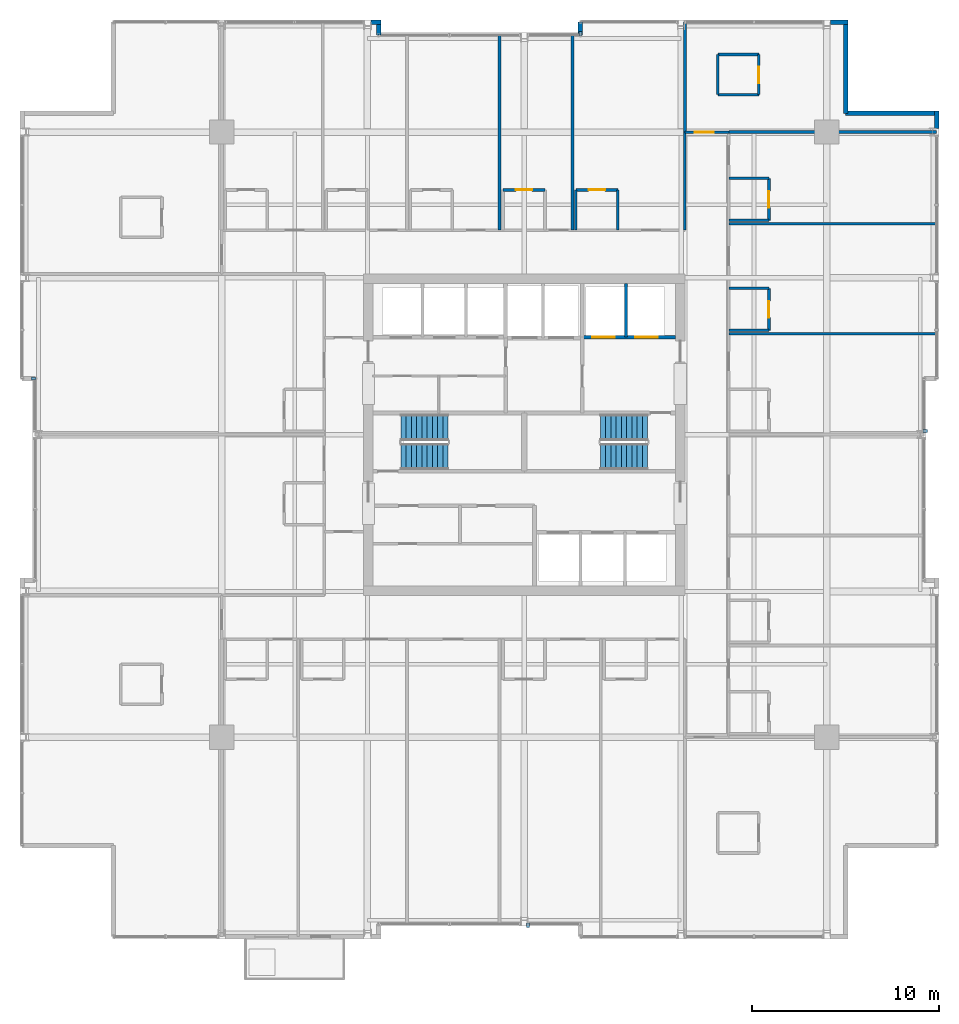
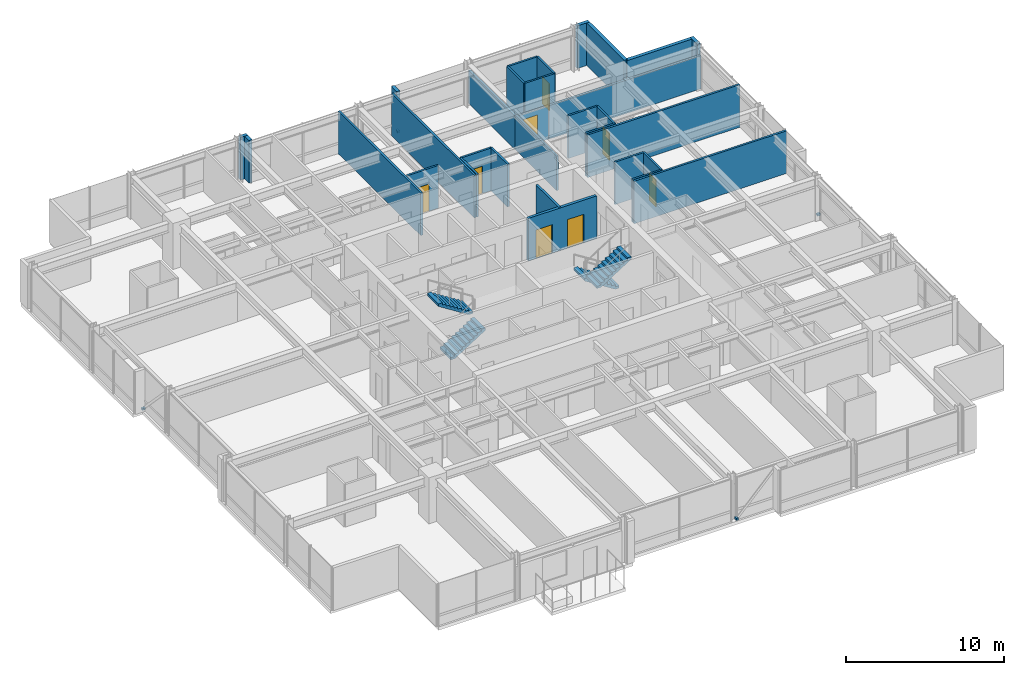
# One storey, part 30 of 33: 31 walls, 8 doors, 4 discrete accessories, 4 stair flights, 8 openings, 2 elements without a shape of their own.
"""IFC4 building model written with IfcOpenShell, lengths in metres."""

from ifc_helpers import new_model, si_unit, direction, frame, frame_2d, origin, origin_2d, place, context, subcontext, project, spatial, polyline, rectangle, outline, extrude, material, layer, layer_set, type_object, element, fill, aggregate, save


model = new_model("IFC4")

# Units and contexts
model_context = context("Model", 3, precision=1e-05, world=origin(), true_north=direction((0.0, 1.0)))
body_context = subcontext(model_context, "Body", "Model", "MODEL_VIEW")
ifc_project = project(units=[si_unit("LENGTHUNIT", "METRE"), si_unit("AREAUNIT", "SQUARE_METRE"), si_unit("VOLUMEUNIT", "CUBIC_METRE"), si_unit("PLANEANGLEUNIT", "RADIAN"), si_unit("MASSUNIT", "GRAM", prefix="KILO")], contexts=[model_context])

# Site, building, storey
site_placement = place(None, origin())
site = spatial("IfcSite", under=ifc_project, at=site_placement, CompositionType="ELEMENT")
building_placement = place(site_placement, origin())
building = spatial("IfcBuilding", under=site, at=building_placement, Name="Drelvath Grand Hotel", CompositionType="ELEMENT")
storey_placement = place(building_placement, frame((0.0, 0.0, 153.949951171875)))
storey = spatial("IfcBuildingStorey", under=building, at=storey_placement, Name="L39", CompositionType="ELEMENT", Elevation=153.949951171875)

# Wall, openings, doors
ifc_material_1 = material(Name="Concrete C40/50", Category="concrete")
ifc_layer_1 = layer(ifc_material_1, 0.199951171875)
ifc_layer_set_1 = layer_set([ifc_layer_1], Name="Concrete C40/50")
wall_type_1 = type_object("IfcWallType", Name="Core Hoistway Fire Wall 200", PredefinedType="SOLIDWALL", material=ifc_layer_set_1)
wall_1_placement = place(storey_placement, frame((3.10009765625, 32.219970703125, 0.0), z_axis=(0.0, 0.0, 1.0), x_axis=(1.0, 0.0, 0.0)))
wall_1 = element("IfcWall", 1, at=wall_1_placement, inside=storey, type_object=wall_type_1, Name="L39 FSAE Hoistway Front Wall", PredefinedType="SOLIDWALL", context=body_context, shape_type="SweptSolid", body=[
    extrude(rectangle(XDim=5.0, YDim=0.199951171875, at=frame_2d((2.5, 0.0))), origin(), (0.0, 0.0, 1.0), 3.2900390625),
])
opening_1_placement = place(wall_1_placement, frame((0.550048828125, 0.0, 0.0)))
opening_1 = element("IfcOpeningElement", 2, at=opening_1_placement, cuts=wall_1, Name="Opening LD-FSAE-1", PredefinedType="OPENING", context=body_context, shape_type="SweptSolid", body=[
    extrude(rectangle(XDim=1.199951171875, YDim=2.199951171875, at=frame_2d((0.60009765625, 1.10009765625))), frame((0.0, 0.10986328125, 0.0), z_axis=(0.0, -1.0, 0.0), x_axis=(1.0, 0.0, 0.0)), (0.0, 0.0, 1.0), 0.219970703125),
])
opening_2_placement = place(wall_1_placement, frame((2.85009765625, 0.0, 0.0)))
opening_2 = element("IfcOpeningElement", 3, at=opening_2_placement, cuts=wall_1, Name="Opening LD-FSAE-2", PredefinedType="OPENING", context=body_context, shape_type="SweptSolid", body=[
    extrude(rectangle(XDim=1.199951171875, YDim=2.199951171875, at=frame_2d((0.60009765625, 1.10009765625))), frame((0.0, 0.10986328125, 0.0), z_axis=(0.0, -1.0, 0.0), x_axis=(1.0, 0.0, 0.0)), (0.0, 0.0, 1.0), 0.219970703125),
])
ifc_material_2 = material(Name="Stainless Steel S355", Category="steel")
door_type_1 = type_object("IfcDoorType", Name="FSAE Lift Sliding Landing Door 1200x2200", OperationType="NOTDEFINED", PredefinedType="DOOR", material=ifc_material_2)
door_1_placement = place(opening_1_placement, origin())
door_1 = element("IfcDoor", 4, at=door_1_placement, inside=storey, type_object=door_type_1, Name="L39 Lift FSAE-1 Landing Door", OperationType="SLIDING_TO_LEFT", OverallHeight=2.199951171875, OverallWidth=1.199951171875, PredefinedType="DOOR", context=body_context, shape_type="SweptSolid", body=[
    extrude(rectangle(XDim=1.199951171875, YDim=2.199951171875, at=frame_2d((0.60009765625, 1.10009765625))), frame((0.0, 0.02490234375, 0.0), z_axis=(0.0, -1.0, 0.0), x_axis=(1.0, 0.0, 0.0)), (0.0, 0.0, 1.0), 0.050048828125),
])
fill(opening_1, door_1)
door_2_placement = place(opening_2_placement, origin())
door_2 = element("IfcDoor", 5, at=door_2_placement, inside=storey, type_object=door_type_1, Name="L39 Lift FSAE-2 Landing Door", OperationType="SLIDING_TO_LEFT", OverallHeight=2.199951171875, OverallWidth=1.199951171875, PredefinedType="DOOR", context=body_context, shape_type="SweptSolid", body=[
    extrude(rectangle(XDim=1.199951171875, YDim=2.199951171875, at=frame_2d((0.60009765625, 1.10009765625))), frame((0.0, 0.02490234375, 0.0), z_axis=(0.0, -1.0, 0.0), x_axis=(1.0, 0.0, 0.0)), (0.0, 0.0, 1.0), 0.050048828125),
])
fill(opening_2, door_2)

# Walls
ifc_material_3 = material(Name="Gypsum Fireboard Partition")
ifc_layer_2 = layer(ifc_material_3, 0.1650390625)
ifc_layer_set_2 = layer_set([ifc_layer_2], Name="Gypsum Fireboard Partition")
wall_type_2 = type_object("IfcWallType", Name="Core Shaft Partition 165", PredefinedType="PARTITIONING", material=ifc_layer_set_2)
wall_2_placement = place(storey_placement, frame((5.449951171875, 32.219970703125, 0.0), z_axis=(0.0, 0.0, 1.0), x_axis=(0.0, 1.0, 0.0)))
element("IfcWall", 6, at=wall_2_placement, inside=storey, type_object=wall_type_2, Name="L39 FSAE Hoistway Divider", PredefinedType="PARTITIONING", context=body_context, shape_type="SweptSolid", body=[
    extrude(rectangle(XDim=2.880126953125, YDim=0.1650390625, at=frame_2d((1.43994140625, 0.0))), origin(), (0.0, 0.0, 1.0), 3.2900390625),
])
ifc_layer_3 = layer(ifc_material_3, 0.135009765625)
ifc_layer_set_3 = layer_set([ifc_layer_3], Name="Gypsum Fireboard Partition")
wall_type_3 = type_object("IfcWallType", Name="Corridor Fire Barrier Wall 135", PredefinedType="PARTITIONING", material=ifc_layer_set_3)
wall_3_placement = place(storey_placement, frame((8.60009765625, 37.949951171875, 0.0), z_axis=(0.0, 0.0, 1.0), x_axis=(0.0, 1.0, 0.0)))
element("IfcWall", 7, at=wall_3_placement, inside=storey, type_object=wall_type_3, Name="L39 East Spine North Inner Wall", PredefinedType="PARTITIONING", context=body_context, shape_type="SweptSolid", body=[
    extrude(rectangle(XDim=5.25, YDim=0.135009765625, at=frame_2d((2.625, 0.0))), origin(), (0.0, 0.0, 1.0), 2.66748046875),
])

# Wall, opening, door
wall_4_placement = place(storey_placement, frame((8.60009765625, 43.199951171875, 0.0), z_axis=(0.0, 0.0, 1.0), x_axis=(1.0, 0.0, 0.0)))
wall_4 = element("IfcWall", 8, at=wall_4_placement, inside=storey, type_object=wall_type_3, Name="L39 East Spine North End", PredefinedType="PARTITIONING", context=body_context, shape_type="SweptSolid", body=[
    extrude(rectangle(XDim=2.349853515625, YDim=0.135009765625, at=frame_2d((1.1748046875, 0.0))), origin(), (0.0, 0.0, 1.0), 2.57958984375),
])
opening_3_placement = place(wall_4_placement, frame((0.52001953125, 0.0, 0.0)))
opening_3 = element("IfcOpeningElement", 9, at=opening_3_placement, cuts=wall_4, Name="Opening D-T3G1-033", PredefinedType="OPENING", context=body_context, shape_type="SweptSolid", body=[
    extrude(rectangle(XDim=1.02001953125, YDim=2.14990234375, at=frame_2d((0.510009765625, 1.074951171875))), frame((0.0, 0.077392578125, 0.0), z_axis=(0.0, -1.0, 0.0), x_axis=(1.0, 0.0, 0.0)), (0.0, 0.0, 1.0), 0.155029296875),
])
ifc_material_4 = material(Name="Hardwood Walnut Timber", Category="wood")
door_type_2 = type_object("IfcDoorType", Name="Amenity Meeting Fire Door 1020x2150", OperationType="NOTDEFINED", PredefinedType="DOOR", material=ifc_material_4)
door_3_placement = place(opening_3_placement, origin())
door_3 = element("IfcDoor", 10, at=door_3_placement, inside=storey, type_object=door_type_2, Name="L39 Executive Suite Entry Door", OperationType="SINGLE_SWING_LEFT", OverallHeight=2.14990234375, OverallWidth=1.02001953125, PredefinedType="DOOR", context=body_context, shape_type="SweptSolid", body=[
    extrude(rectangle(XDim=1.02001953125, YDim=2.14990234375, at=frame_2d((0.510009765625, 1.074951171875))), frame((0.0, 0.02490234375, 0.0), z_axis=(0.0, -1.0, 0.0), x_axis=(1.0, 0.0, 0.0)), (0.0, 0.0, 1.0), 0.050048828125),
])
fill(opening_3, door_3)

# Walls
ifc_material_5 = material(Name="Moisture-Resistant Gypsum Board")
ifc_layer_4 = layer(ifc_material_5, 0.139892578125)
ifc_layer_set_4 = layer_set([ifc_layer_4], Name="Moisture-Resistant Gypsum Board")
wall_type_4 = type_object("IfcWallType", Name="En-Suite Plumbing Wall 140", PredefinedType="PLUMBINGWALL", material=ifc_layer_set_4)
for number, where, z_axis, x_axis, name in (
    (11, (10.360107421875, 45.199951171875, 0.0), (0.0, 0.0, 1.0), (1.0, 0.0, 0.0), "L39 Corner En-Suite South"),
    (12, (10.360107421875, 47.35009765625, 0.0), (0.0, 0.0, 1.0), (1.0, 0.0, 0.0), "L39 Corner En-Suite North"),
):
    element("IfcWall", number, at=place(storey_placement, frame(where, z_axis=z_axis, x_axis=x_axis)), inside=storey, type_object=wall_type_4, Name=name, PredefinedType="PLUMBINGWALL", context=body_context, shape_type="SweptSolid", body=[
        extrude(rectangle(XDim=2.199951171875, YDim=0.139892578125, at=frame_2d((1.10009765625, 0.0))), origin(), (0.0, 0.0, 1.0), 3.2900390625),
    ])
wall_5_placement = place(storey_placement, frame((10.360107421875, 45.199951171875, 0.0), z_axis=(0.0, 0.0, 1.0), x_axis=(0.0, 1.0, 0.0)))
element("IfcWall", 13, at=wall_5_placement, inside=storey, type_object=wall_type_4, Name="L39 Corner En-Suite West", PredefinedType="PLUMBINGWALL", context=body_context, shape_type="SweptSolid", body=[
    extrude(rectangle(XDim=2.150146484375, YDim=0.139892578125, at=frame_2d((1.0751953125, 0.0))), origin(), (0.0, 0.0, 1.0), 3.2900390625),
])

# Wall, opening, door
wall_6_placement = place(storey_placement, frame((12.56005859375, 45.199951171875, 0.0), z_axis=(0.0, 0.0, 1.0), x_axis=(0.0, 1.0, 0.0)))
wall_6 = element("IfcWall", 14, at=wall_6_placement, inside=storey, type_object=wall_type_4, Name="L39 Corner En-Suite East", PredefinedType="PLUMBINGWALL", context=body_context, shape_type="SweptSolid", body=[
    extrude(rectangle(XDim=2.150146484375, YDim=0.139892578125, at=frame_2d((1.0751953125, 0.0))), origin(), (0.0, 0.0, 1.0), 3.2900390625),
])
opening_4_placement = place(wall_6_placement, frame((0.6201171875, 0.0, 0.0)))
opening_4 = element("IfcOpeningElement", 15, at=opening_4_placement, cuts=wall_6, Name="Opening D-T3G1-032", PredefinedType="OPENING", context=body_context, shape_type="SweptSolid", body=[
    extrude(rectangle(XDim=0.8798828125, YDim=2.10009765625, at=frame_2d((0.43994140625, 1.050048828125))), frame((0.0, 0.079833984375, 0.0), z_axis=(0.0, -1.0, 0.0), x_axis=(1.0, 0.0, 0.0)), (0.0, 0.0, 1.0), 0.159912109375),
])
door_type_3 = type_object("IfcDoorType", Name="En-Suite Bathroom Door 880x2100", OperationType="NOTDEFINED", PredefinedType="DOOR", material=ifc_material_4)
door_4_placement = place(opening_4_placement, origin())
door_4 = element("IfcDoor", 16, at=door_4_placement, inside=storey, type_object=door_type_3, Name="L39 Corner En-Suite Door", OperationType="SINGLE_SWING_RIGHT", OverallHeight=2.10009765625, OverallWidth=0.8798828125, PredefinedType="DOOR", context=body_context, shape_type="SweptSolid", body=[
    extrude(rectangle(XDim=0.8798828125, YDim=2.10009765625, at=frame_2d((0.43994140625, 1.050048828125))), frame((0.0, 0.02490234375, 0.0), z_axis=(0.0, -1.0, 0.0), x_axis=(1.0, 0.0, 0.0)), (0.0, 0.0, 1.0), 0.050048828125),
])
fill(opening_4, door_4)

wall_7_placement = place(storey_placement, frame((-1.139892578125, 40.10009765625, 0.0), z_axis=(0.0, 0.0, 1.0), x_axis=(1.0, 0.0, 0.0)))
wall_7 = element("IfcWall", 17, at=wall_7_placement, inside=storey, type_object=wall_type_4, Name="L39 En-Suite Front Wall", PredefinedType="PLUMBINGWALL", context=body_context, shape_type="SweptSolid", body=[
    extrude(rectangle(XDim=2.25, YDim=0.139892578125, at=frame_2d((1.125, 0.0))), origin(), (0.0, 0.0, 1.0), 3.2900390625),
])
opening_5_placement = place(wall_7_placement, frame((0.68505859375, 0.0, 0.0)))
opening_5 = element("IfcOpeningElement", 18, at=opening_5_placement, cuts=wall_7, Name="Opening D-T3G1-049", PredefinedType="OPENING", context=body_context, shape_type="SweptSolid", body=[
    extrude(rectangle(XDim=0.8798828125, YDim=2.10009765625, at=frame_2d((0.43994140625, 1.050048828125))), frame((0.0, 0.079833984375, 0.0), z_axis=(0.0, -1.0, 0.0), x_axis=(1.0, 0.0, 0.0)), (0.0, 0.0, 1.0), 0.159912109375),
])
door_5_placement = place(opening_5_placement, origin())
door_5 = element("IfcDoor", 19, at=door_5_placement, inside=storey, type_object=door_type_3, Name="L39 En-Suite Bathroom Door", OperationType="SINGLE_SWING_LEFT", OverallHeight=2.10009765625, OverallWidth=0.8798828125, PredefinedType="DOOR", context=body_context, shape_type="SweptSolid", body=[
    extrude(rectangle(XDim=0.8798828125, YDim=2.10009765625, at=frame_2d((0.43994140625, 1.050048828125))), frame((0.0, 0.02490234375, 0.0), z_axis=(0.0, -1.0, 0.0), x_axis=(1.0, 0.0, 0.0)), (0.0, 0.0, 1.0), 0.050048828125),
])
fill(opening_5, door_5)

# Walls
for number, where, z_axis, x_axis, name in (
    (20, (2.760009765625, 37.949951171875, 0.0), (0.0, 0.0, 1.0), (0.0, 1.0, 0.0), "L39 En-Suite Left Wall"),
    (21, (5.010009765625, 37.949951171875, 0.0), (0.0, 0.0, 1.0), (0.0, 1.0, 0.0), "L39 En-Suite Right Wall"),
):
    element("IfcWall", number, at=place(storey_placement, frame(where, z_axis=z_axis, x_axis=x_axis)), inside=storey, type_object=wall_type_4, Name=name, PredefinedType="PLUMBINGWALL", context=body_context, shape_type="SweptSolid", body=[
        extrude(rectangle(XDim=2.150146484375, YDim=0.139892578125, at=frame_2d((1.0751953125, 0.0))), origin(), (0.0, 0.0, 1.0), 3.2900390625),
    ])

# Wall, opening, door
wall_8_placement = place(storey_placement, frame((2.760009765625, 40.10009765625, 0.0), z_axis=(0.0, 0.0, 1.0), x_axis=(1.0, 0.0, 0.0)))
wall_8 = element("IfcWall", 22, at=wall_8_placement, inside=storey, type_object=wall_type_4, Name="L39 En-Suite Front Wall", PredefinedType="PLUMBINGWALL", context=body_context, shape_type="SweptSolid", body=[
    extrude(rectangle(XDim=2.25, YDim=0.139892578125, at=frame_2d((1.125, 0.0))), origin(), (0.0, 0.0, 1.0), 3.2900390625),
])
opening_6_placement = place(wall_8_placement, frame((0.68505859375, 0.0, 0.0)))
opening_6 = element("IfcOpeningElement", 23, at=opening_6_placement, cuts=wall_8, Name="Opening D-T3G1-051", PredefinedType="OPENING", context=body_context, shape_type="SweptSolid", body=[
    extrude(rectangle(XDim=0.8798828125, YDim=2.10009765625, at=frame_2d((0.43994140625, 1.050048828125))), frame((0.0, 0.079833984375, 0.0), z_axis=(0.0, -1.0, 0.0), x_axis=(1.0, 0.0, 0.0)), (0.0, 0.0, 1.0), 0.159912109375),
])
door_6_placement = place(opening_6_placement, origin())
door_6 = element("IfcDoor", 24, at=door_6_placement, inside=storey, type_object=door_type_3, Name="L39 En-Suite Bathroom Door", OperationType="SINGLE_SWING_LEFT", OverallHeight=2.10009765625, OverallWidth=0.8798828125, PredefinedType="DOOR", context=body_context, shape_type="SweptSolid", body=[
    extrude(rectangle(XDim=0.8798828125, YDim=2.10009765625, at=frame_2d((0.43994140625, 1.050048828125))), frame((0.0, 0.02490234375, 0.0), z_axis=(0.0, -1.0, 0.0), x_axis=(1.0, 0.0, 0.0)), (0.0, 0.0, 1.0), 0.050048828125),
])
fill(opening_6, door_6)

# Walls
for number, where, z_axis, x_axis, name in (
    (25, (10.949951171875, 32.580078125, 0.0), (0.0, 0.0, 1.0), (1.0, 0.0, 0.0), "L39 En-Suite Left Wall"),
    (26, (10.949951171875, 34.830078125, 0.0), (0.0, 0.0, 1.0), (1.0, 0.0, 0.0), "L39 En-Suite Right Wall"),
):
    element("IfcWall", number, at=place(storey_placement, frame(where, z_axis=z_axis, x_axis=x_axis)), inside=storey, type_object=wall_type_4, Name=name, PredefinedType="PLUMBINGWALL", context=body_context, shape_type="SweptSolid", body=[
        extrude(rectangle(XDim=2.150146484375, YDim=0.139892578125, at=frame_2d((1.0751953125, 0.0))), origin(), (0.0, 0.0, 1.0), 3.2900390625),
    ])

# Wall, opening, door
wall_9_placement = place(storey_placement, frame((13.10009765625, 32.580078125, 0.0), z_axis=(0.0, 0.0, 1.0), x_axis=(0.0, 1.0, 0.0)))
wall_9 = element("IfcWall", 27, at=wall_9_placement, inside=storey, type_object=wall_type_4, Name="L39 En-Suite Front Wall", PredefinedType="PLUMBINGWALL", context=body_context, shape_type="SweptSolid", body=[
    extrude(rectangle(XDim=2.25, YDim=0.139892578125, at=frame_2d((1.125, 0.0))), origin(), (0.0, 0.0, 1.0), 3.2900390625),
])
opening_7_placement = place(wall_9_placement, frame((0.68505859375, 0.0, 0.0)))
opening_7 = element("IfcOpeningElement", 28, at=opening_7_placement, cuts=wall_9, Name="Opening D-T3G1-060", PredefinedType="OPENING", context=body_context, shape_type="SweptSolid", body=[
    extrude(rectangle(XDim=0.8798828125, YDim=2.10009765625, at=frame_2d((0.43994140625, 1.050048828125))), frame((0.0, 0.079833984375, 0.0), z_axis=(0.0, -1.0, 0.0), x_axis=(1.0, 0.0, 0.0)), (0.0, 0.0, 1.0), 0.159912109375),
])
door_7_placement = place(opening_7_placement, origin())
door_7 = element("IfcDoor", 29, at=door_7_placement, inside=storey, type_object=door_type_3, Name="L39 En-Suite Bathroom Door", OperationType="SINGLE_SWING_RIGHT", OverallHeight=2.10009765625, OverallWidth=0.8798828125, PredefinedType="DOOR", context=body_context, shape_type="SweptSolid", body=[
    extrude(rectangle(XDim=0.8798828125, YDim=2.10009765625, at=frame_2d((0.43994140625, 1.050048828125))), frame((0.0, 0.02490234375, 0.0), z_axis=(0.0, -1.0, 0.0), x_axis=(1.0, 0.0, 0.0)), (0.0, 0.0, 1.0), 0.050048828125),
])
fill(opening_7, door_7)

# Walls
for number, where, z_axis, x_axis, name in (
    (30, (10.949951171875, 38.470947265625, 0.0), (0.0, 0.0, 1.0), (1.0, 0.0, 0.0), "L39 En-Suite Left Wall"),
    (31, (10.949951171875, 40.720947265625, 0.0), (0.0, 0.0, 1.0), (1.0, 0.0, 0.0), "L39 En-Suite Right Wall"),
):
    element("IfcWall", number, at=place(storey_placement, frame(where, z_axis=z_axis, x_axis=x_axis)), inside=storey, type_object=wall_type_4, Name=name, PredefinedType="PLUMBINGWALL", context=body_context, shape_type="SweptSolid", body=[
        extrude(rectangle(XDim=2.150146484375, YDim=0.139892578125, at=frame_2d((1.0751953125, 0.0))), origin(), (0.0, 0.0, 1.0), 3.2900390625),
    ])

# Wall, opening, door
wall_10_placement = place(storey_placement, frame((13.10009765625, 38.470947265625, 0.0), z_axis=(0.0, 0.0, 1.0), x_axis=(0.0, 1.0, 0.0)))
wall_10 = element("IfcWall", 32, at=wall_10_placement, inside=storey, type_object=wall_type_4, Name="L39 En-Suite Front Wall", PredefinedType="PLUMBINGWALL", context=body_context, shape_type="SweptSolid", body=[
    extrude(rectangle(XDim=2.25, YDim=0.139892578125, at=frame_2d((1.125, 0.0))), origin(), (0.0, 0.0, 1.0), 3.2900390625),
])
opening_8_placement = place(wall_10_placement, frame((0.68505859375, 0.0, 0.0)))
opening_8 = element("IfcOpeningElement", 33, at=opening_8_placement, cuts=wall_10, Name="Opening D-T3G1-062", PredefinedType="OPENING", context=body_context, shape_type="SweptSolid", body=[
    extrude(rectangle(XDim=0.8798828125, YDim=2.10009765625, at=frame_2d((0.43994140625, 1.050048828125))), frame((0.0, 0.079833984375, 0.0), z_axis=(0.0, -1.0, 0.0), x_axis=(1.0, 0.0, 0.0)), (0.0, 0.0, 1.0), 0.159912109375),
])
door_8_placement = place(opening_8_placement, origin())
door_8 = element("IfcDoor", 34, at=door_8_placement, inside=storey, type_object=door_type_3, Name="L39 En-Suite Bathroom Door", OperationType="SINGLE_SWING_RIGHT", OverallHeight=2.10009765625, OverallWidth=0.8798828125, PredefinedType="DOOR", context=body_context, shape_type="SweptSolid", body=[
    extrude(rectangle(XDim=0.8798828125, YDim=2.10009765625, at=frame_2d((0.43994140625, 1.050048828125))), frame((0.0, 0.02490234375, 0.0), z_axis=(0.0, -1.0, 0.0), x_axis=(1.0, 0.0, 0.0)), (0.0, 0.0, 1.0), 0.050048828125),
])
fill(opening_8, door_8)

# Walls
ifc_material_6 = material(Name="Gypsum Acoustic Partition")
ifc_layer_5 = layer(ifc_material_6, 0.14990234375)
ifc_layer_set_5 = layer_set([ifc_layer_5], Name="Gypsum Acoustic Partition")
wall_type_5 = type_object("IfcWallType", Name="Guestroom Demising Wall 150", PredefinedType="PARTITIONING", material=ifc_layer_set_5)
for number, where, z_axis, x_axis, name in (
    (35, (-1.320068359375, 37.949951171875, 0.0), (0.0, 0.0, 1.0), (0.0, 1.0, 0.0), "L39 North Demising 3"),
    (36, (2.580078125, 37.949951171875, 0.0), (0.0, 0.0, 1.0), (0.0, 1.0, 0.0), "L39 North Demising 4"),
):
    element("IfcWall", number, at=place(storey_placement, frame(where, z_axis=z_axis, x_axis=x_axis)), inside=storey, type_object=wall_type_5, Name=name, PredefinedType="PARTITIONING", context=body_context, shape_type="SweptSolid", body=[
        extrude(rectangle(XDim=10.449951171875, YDim=0.14990234375, at=frame_2d((5.22509765625, 0.0))), origin(), (0.0, 0.0, 1.0), 3.2900390625),
    ])
for number, where, z_axis, x_axis, name in (
    (37, (10.949951171875, 32.39990234375, 0.0), (0.0, 0.0, 1.0), (1.0, 0.0, 0.0), "L39 East Demising 4"),
    (38, (10.949951171875, 38.291015625, 0.0), (0.0, 0.0, 1.0), (1.0, 0.0, 0.0), "L39 East Demising 5"),
):
    element("IfcWall", number, at=place(storey_placement, frame(where, z_axis=z_axis, x_axis=x_axis)), inside=storey, type_object=wall_type_5, Name=name, PredefinedType="PARTITIONING", context=body_context, shape_type="SweptSolid", body=[
        extrude(rectangle(XDim=11.130126953125, YDim=0.14990234375, at=frame_2d((5.56494140625, 0.0))), origin(), (0.0, 0.0, 1.0), 3.2900390625),
    ])
ifc_layer_6 = layer(ifc_material_6, 0.1650390625)
ifc_layer_set_6 = layer_set([ifc_layer_6], Name="Gypsum Acoustic Partition")
wall_type_6 = type_object("IfcWallType", Name="Suite Demising Wall 165", PredefinedType="PARTITIONING", material=ifc_layer_set_6)
wall_11_placement = place(storey_placement, frame((8.60009765625, 43.199951171875, 0.0), z_axis=(0.0, 0.0, 1.0), x_axis=(0.0, 1.0, 0.0)))
element("IfcWall", 39, at=wall_11_placement, inside=storey, type_object=wall_type_6, Name="L39 NE Suite West Wall", PredefinedType="PARTITIONING", context=body_context, shape_type="SweptSolid", body=[
    extrude(rectangle(XDim=5.880126953125, YDim=0.1650390625, at=frame_2d((2.93994140625, 0.0))), origin(), (0.0, 0.0, 1.0), 2.57958984375),
])
wall_12_placement = place(storey_placement, frame((10.949951171875, 43.199951171875, 0.0), z_axis=(0.0, 0.0, 1.0), x_axis=(1.0, 0.0, 0.0)))
element("IfcWall", 40, at=wall_12_placement, inside=storey, type_object=wall_type_6, Name="L39 NE Suite South Wall", PredefinedType="PARTITIONING", context=body_context, shape_type="SweptSolid", body=[
    extrude(rectangle(XDim=11.130126953125, YDim=0.1650390625, at=frame_2d((5.56494140625, 0.0))), origin(), (0.0, 0.0, 1.0), 2.57958984375),
])
ifc_material_7 = material(Name="Pale-Metal Insulated Aluminium Spandrel Assembly", Category="aluminium")
ifc_layer_7 = layer(ifc_material_7, 0.239990234375)
ifc_layer_set_7 = layer_set([ifc_layer_7], Name="Pale-Metal Insulated Aluminium Spandrel Assembly")
wall_type_7 = type_object("IfcWallType", Name="Tower Insulated Metal Spandrel Closure Wall 240", PredefinedType="STANDARD", material=ifc_layer_set_7)
wall_13_placement = place(storey_placement, frame((22.080078125, 44.320068359375, 0.0), z_axis=(0.0, 0.0, 1.0), x_axis=(0.0, -1.0, 0.0)))
element("IfcWall", 41, at=wall_13_placement, inside=storey, type_object=wall_type_7, Name="L39 Corner Pier Spandrel Wall EN3", PredefinedType="STANDARD", context=body_context, shape_type="SweptSolid", body=[
    extrude(rectangle(XDim=0.919921875, YDim=0.239990234375, at=frame_2d((0.4599609375, 0.0))), origin(), (0.0, 0.0, 1.0), 3.2900390625),
])
wall_14_placement = place(storey_placement, frame((-8.199951171875, 49.080078125, 0.0), z_axis=(0.0, 0.0, 1.0), x_axis=(1.0, 0.0, 0.0)))
element("IfcWall", 42, at=wall_14_placement, inside=storey, type_object=wall_type_7, Name="L39 Corner Pier Spandrel Wall NW3", PredefinedType="STANDARD", context=body_context, shape_type="SweptSolid", body=[
    extrude(rectangle(XDim=0.52001953125, YDim=0.239990234375, at=frame_2d((0.260009765625, 0.0))), origin(), (0.0, 0.0, 1.0), 3.2900390625),
])
wall_15_placement = place(storey_placement, frame((16.400146484375, 49.080078125, 0.0), z_axis=(0.0, 0.0, 1.0), x_axis=(1.0, 0.0, 0.0)))
element("IfcWall", 43, at=wall_15_placement, inside=storey, type_object=wall_type_7, Name="L39 Corner Pier Spandrel Wall NE3", PredefinedType="STANDARD", context=body_context, shape_type="SweptSolid", body=[
    extrude(rectangle(XDim=0.919921875, YDim=0.239990234375, at=frame_2d((0.4599609375, 0.0))), origin(), (0.0, 0.0, 1.0), 3.2900390625),
])
for number, where, z_axis, x_axis, name in (
    (44, (17.199951171875, 48.9599609375, 0.0), (0.0, 0.0, 1.0), (0.0, -1.0, 0.0), "L39 Notched Corner Return Spandrel Wall CNE1"),
    (45, (17.199951171875, 44.199951171875, 0.0), (0.0, 0.0, 1.0), (1.0, 0.0, 0.0), "L39 Notched Corner Return Spandrel Wall CNE2"),
):
    element("IfcWall", number, at=place(storey_placement, frame(where, z_axis=z_axis, x_axis=x_axis)), inside=storey, type_object=wall_type_7, Name=name, PredefinedType="STANDARD", context=body_context, shape_type="SweptSolid", body=[
        extrude(rectangle(XDim=4.760009765625, YDim=0.239990234375, at=frame_2d((2.3798828125, 0.0))), origin(), (0.0, 0.0, 1.0), 3.2900390625),
    ])
wall_16_placement = place(storey_placement, frame((-7.800048828125, 48.9599609375, 0.0), z_axis=(0.0, 0.0, 1.0), x_axis=(0.0, -1.0, 0.0)))
element("IfcWall", 46, at=wall_16_placement, inside=storey, type_object=wall_type_7, Name="L39 Notched Corner Return Spandrel Wall RN1", PredefinedType="STANDARD", context=body_context, shape_type="SweptSolid", body=[
    extrude(rectangle(XDim=0.56005859375, YDim=0.239990234375, at=frame_2d((0.280029296875, 0.0))), origin(), (0.0, 0.0, 1.0), 3.2900390625),
])
wall_17_placement = place(storey_placement, frame((3.0, 48.39990234375, 0.0), z_axis=(0.0, 0.0, 1.0), x_axis=(0.0, 1.0, 0.0)))
element("IfcWall", 47, at=wall_17_placement, inside=storey, type_object=wall_type_7, Name="L39 Notched Corner Return Spandrel Wall RN2", PredefinedType="STANDARD", context=body_context, shape_type="SweptSolid", body=[
    extrude(rectangle(XDim=0.68017578125, YDim=0.239990234375, at=frame_2d((0.340087890625, 0.0))), origin(), (0.0, 0.0, 1.0), 3.2900390625),
])

# Stair, stair flights
stair_type = type_object("IfcStairType", Name="Dogleg Exit Stair W1400-R177.5", PredefinedType="HALF_TURN_STAIR", material=ifc_material_1)
stair_1_placement = place(storey_placement, origin())
stair_1 = element("IfcStair", 48, at=stair_1_placement, inside=storey, type_object=stair_type, Name="L39 Core Exit Stair ST-1", PredefinedType="HALF_TURN_STAIR")
stair_flight_type = type_object("IfcStairFlightType", Name="Concrete Stair Flight W1400-R177.5", PredefinedType="STRAIGHT", material=ifc_material_1)
stair_flight_1_placement = place(storey_placement, frame((-6.60009765625, 25.820068359375, 0.0), z_axis=(0.0, 0.0, 1.0), x_axis=(1.0, 0.0, 0.0)))
stair_flight_1 = element("IfcStairFlight", 49, at=stair_flight_1_placement, type_object=stair_flight_type, Name="ST-1 flight 1", NumberOfRisers=10, NumberOfTreads=9, PredefinedType="STRAIGHT", RiserHeight=0.1775, TreadLength=0.28, context=body_context, shape_type="SweptSolid", body=[
    extrude(outline(polyline([(0.0, 0.0), (0.0, 0.177490234375), (0.280029296875, 0.177490234375), (0.280029296875, 0.35498046875), (0.56005859375, 0.35498046875), (0.56005859375, 0.532470703125), (0.840087890625, 0.532470703125), (0.840087890625, 0.7099609375), (1.1201171875, 0.7099609375), (1.1201171875, 0.887451171875), (1.39990234375, 0.887451171875), (1.39990234375, 1.06494140625), (1.679931640625, 1.06494140625), (1.679931640625, 1.242431640625), (1.9599609375, 1.242431640625), (1.9599609375, 1.419921875), (2.239990234375, 1.419921875), (2.239990234375, 1.597412109375), (2.52001953125, 1.597412109375), (2.52001953125, 1.77490234375), (2.52001953125, 1.408203125), (0.298583984375, 0.0), (0.0, 0.0)])), frame((0.0, 0.699951171875, 0.0), z_axis=(0.0, -1.0, 0.0), x_axis=(1.0, 0.0, 0.0)), (0.0, 0.0, 1.0), 1.39990234375),
])
stair_flight_2_placement = place(storey_placement, frame((-4.080078125, 27.3798828125, 1.775146484375), z_axis=(0.0, 0.0, 1.0), x_axis=(-1.0, 0.0, 0.0)))
stair_flight_2 = element("IfcStairFlight", 50, at=stair_flight_2_placement, type_object=stair_flight_type, Name="ST-1 flight 2", NumberOfRisers=10, NumberOfTreads=9, PredefinedType="STRAIGHT", RiserHeight=0.1775, TreadLength=0.28, context=body_context, shape_type="SweptSolid", body=[
    extrude(outline(polyline([(0.0, 0.0), (0.0, 0.177490234375), (0.280029296875, 0.177490234375), (0.280029296875, 0.35498046875), (0.56005859375, 0.35498046875), (0.56005859375, 0.532470703125), (0.840087890625, 0.532470703125), (0.840087890625, 0.7099609375), (1.1201171875, 0.7099609375), (1.1201171875, 0.887451171875), (1.39990234375, 0.887451171875), (1.39990234375, 1.06494140625), (1.679931640625, 1.06494140625), (1.679931640625, 1.242431640625), (1.9599609375, 1.242431640625), (1.9599609375, 1.419921875), (2.239990234375, 1.419921875), (2.239990234375, 1.597412109375), (2.52001953125, 1.597412109375), (2.52001953125, 1.77490234375), (2.52001953125, 1.408203125), (0.298583984375, 0.0), (0.0, 0.0)])), frame((0.0, 0.699951171875, 0.0), z_axis=(0.0, -1.0, 0.0), x_axis=(1.0, 0.0, 0.0)), (0.0, 0.0, 1.0), 1.39990234375),
])
aggregate(stair_1, [stair_flight_1, stair_flight_2])

stair_2_placement = place(storey_placement, origin())
stair_2 = element("IfcStair", 51, at=stair_2_placement, inside=storey, type_object=stair_type, Name="L39 Core Exit Stair ST-2", PredefinedType="HALF_TURN_STAIR")
stair_flight_3_placement = place(storey_placement, frame((6.60009765625, 27.3798828125, 0.0), z_axis=(0.0, 0.0, 1.0), x_axis=(-1.0, 0.0, 0.0)))
stair_flight_3 = element("IfcStairFlight", 52, at=stair_flight_3_placement, type_object=stair_flight_type, Name="ST-2 flight 1", NumberOfRisers=10, NumberOfTreads=9, PredefinedType="STRAIGHT", RiserHeight=0.1775, TreadLength=0.28, context=body_context, shape_type="SweptSolid", body=[
    extrude(outline(polyline([(0.0, 0.0), (0.0, 0.177490234375), (0.280029296875, 0.177490234375), (0.280029296875, 0.35498046875), (0.56005859375, 0.35498046875), (0.56005859375, 0.532470703125), (0.840087890625, 0.532470703125), (0.840087890625, 0.7099609375), (1.1201171875, 0.7099609375), (1.1201171875, 0.887451171875), (1.39990234375, 0.887451171875), (1.39990234375, 1.06494140625), (1.679931640625, 1.06494140625), (1.679931640625, 1.242431640625), (1.9599609375, 1.242431640625), (1.9599609375, 1.419921875), (2.239990234375, 1.419921875), (2.239990234375, 1.597412109375), (2.52001953125, 1.597412109375), (2.52001953125, 1.77490234375), (2.52001953125, 1.408203125), (0.298583984375, 0.0), (0.0, 0.0)])), frame((0.0, 0.699951171875, 0.0), z_axis=(0.0, -1.0, 0.0), x_axis=(1.0, 0.0, 0.0)), (0.0, 0.0, 1.0), 1.39990234375),
])
stair_flight_4_placement = place(storey_placement, frame((4.080078125, 25.820068359375, 1.775146484375), z_axis=(0.0, 0.0, 1.0), x_axis=(1.0, 0.0, 0.0)))
stair_flight_4 = element("IfcStairFlight", 53, at=stair_flight_4_placement, type_object=stair_flight_type, Name="ST-2 flight 2", NumberOfRisers=10, NumberOfTreads=9, PredefinedType="STRAIGHT", RiserHeight=0.1775, TreadLength=0.28, context=body_context, shape_type="SweptSolid", body=[
    extrude(outline(polyline([(0.0, 0.0), (0.0, 0.177490234375), (0.280029296875, 0.177490234375), (0.280029296875, 0.35498046875), (0.56005859375, 0.35498046875), (0.56005859375, 0.532470703125), (0.840087890625, 0.532470703125), (0.840087890625, 0.7099609375), (1.1201171875, 0.7099609375), (1.1201171875, 0.887451171875), (1.39990234375, 0.887451171875), (1.39990234375, 1.06494140625), (1.679931640625, 1.06494140625), (1.679931640625, 1.242431640625), (1.9599609375, 1.242431640625), (1.9599609375, 1.419921875), (2.239990234375, 1.419921875), (2.239990234375, 1.597412109375), (2.52001953125, 1.597412109375), (2.52001953125, 1.77490234375), (2.52001953125, 1.408203125), (0.298583984375, 0.0), (0.0, 0.0)])), frame((0.0, 0.699951171875, 0.0), z_axis=(0.0, -1.0, 0.0), x_axis=(1.0, 0.0, 0.0)), (0.0, 0.0, 1.0), 1.39990234375),
])
aggregate(stair_2, [stair_flight_3, stair_flight_4])

# Discrete accessories
ifc_material_8 = material(Name="Stainless Steel Grade 316", Category="steel")
discrete_accessory_type = type_object("IfcDiscreteAccessoryType", Name="Curtain Wall Fin Mounting Bracket Cleat", PredefinedType="BRACKET", material=ifc_material_8)
for number, where, z_axis, x_axis, name in (
    (54, (-26.260009765625, 30.0, 0.10009765625), (0.0, 0.0, 1.0), (0.0, 1.0, 0.0), "L39 Fin Mounting Bracket CW04-L39-WM2-1"),
    (55, (21.4599609375, 27.2001953125, 0.10009765625), (0.0, 0.0, 1.0), (0.0, -1.0, 0.0), "L39 Fin Mounting Bracket CW04-L39-EM2-1"),
    (56, (3.0, 48.4599609375, 0.10009765625), (0.0, 0.0, 1.0), (1.0, 0.0, 0.0), "L39 Fin Mounting Bracket CW04-L39-NM2-1"),
    (57, (0.2001953125, 0.739990234375, 0.10009765625), (0.0, 0.0, 1.0), (-1.0, 0.0, 0.0), "L39 Fin Mounting Bracket CW04-L39-SM2-1"),
):
    element("IfcDiscreteAccessory", number, at=place(storey_placement, frame(where, z_axis=z_axis, x_axis=x_axis)), inside=storey, type_object=discrete_accessory_type, Name=name, PredefinedType="BRACKET", context=body_context, shape_type="SweptSolid", body=[
        extrude(rectangle(XDim=0.159912109375, YDim=0.239990234375, at=origin_2d()), origin(), (0.0, 0.0, 1.0), 0.159912109375),
    ])

save(model, "model.ifc")
